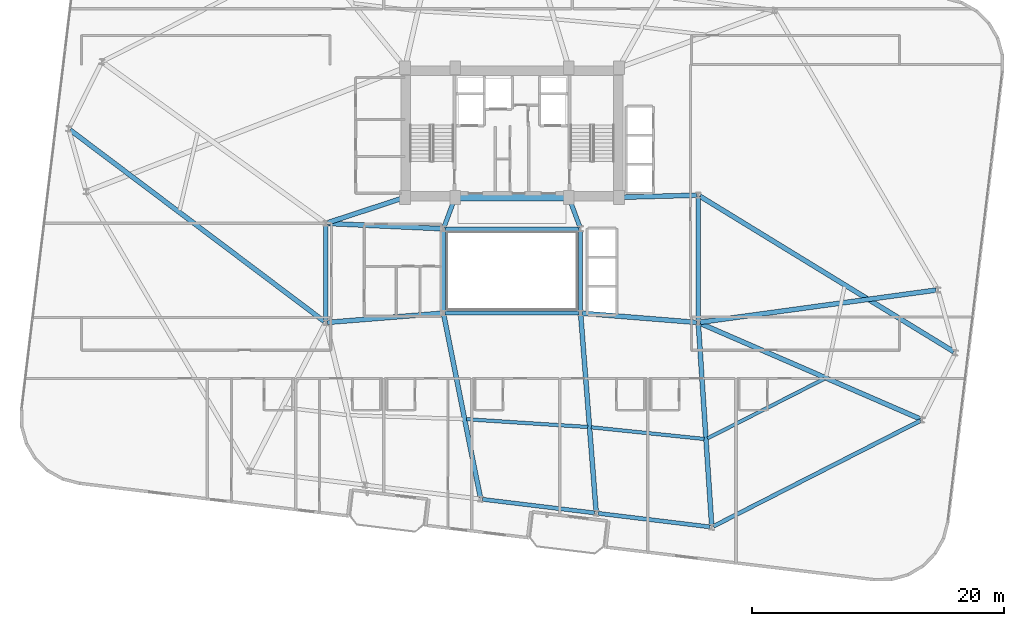
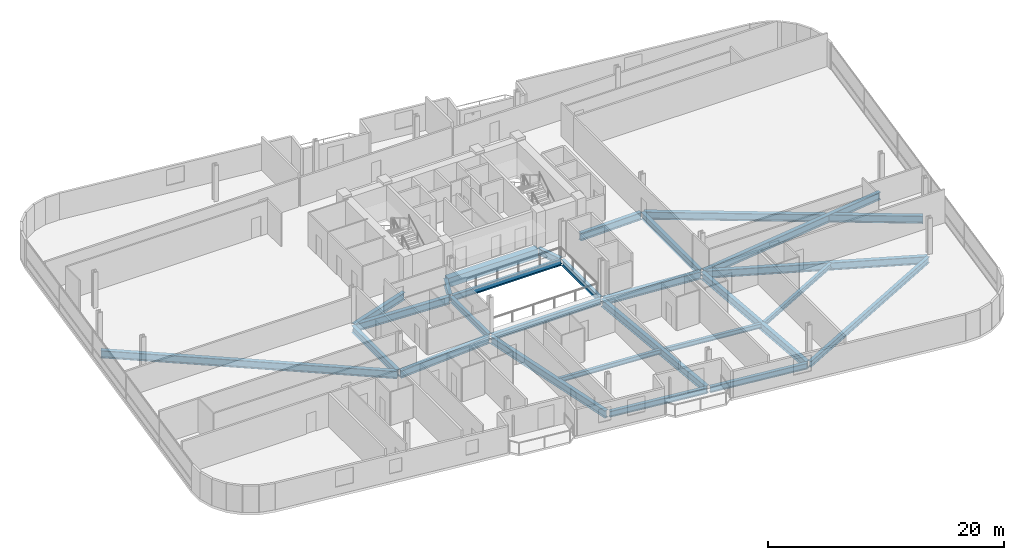
# One storey, part 7 of 26: 27 beams.
"""IFC4 building model written with IfcOpenShell, lengths in metres."""

from ifc_helpers import new_model, si_unit, direction, frame, origin, origin_2d, place, context, subcontext, project, spatial, rectangle, i_section, extrude, material, material_profile, profile_set, type_object, element, save


model = new_model("IFC4")

# Units and contexts
model_context = context("Model", 3, precision=1e-05, world=origin(), true_north=direction((0.0, 1.0)))
body_context = subcontext(model_context, "Body", "Model", "MODEL_VIEW")
ifc_project = project(units=[si_unit("LENGTHUNIT", "METRE"), si_unit("AREAUNIT", "SQUARE_METRE"), si_unit("VOLUMEUNIT", "CUBIC_METRE"), si_unit("PLANEANGLEUNIT", "RADIAN"), si_unit("MASSUNIT", "GRAM", prefix="KILO")], contexts=[model_context])

# Site, building, storey
site_placement = place(None, origin())
site = spatial("IfcSite", under=ifc_project, at=site_placement, CompositionType="ELEMENT")
building_placement = place(site_placement, origin())
building = spatial("IfcBuilding", under=site, at=building_placement, Name="Varnelok Gate Tower", CompositionType="ELEMENT")
storey_placement = place(building_placement, frame((0.0, 0.0, 155.0)))
storey = spatial("IfcBuildingStorey", under=building, at=storey_placement, Name="L39", CompositionType="ELEMENT", Elevation=155.0)

# Beams
ifc_material_1 = material(Name="Structural Steel ASTM A992 Grade 50", Category="steel")
ifc_material_profile_1 = material_profile(ifc_material_1, i_section(OverallWidth=0.280029296875, OverallDepth=0.462890625, WebThickness=0.0107421875, FlangeThickness=0.017333984375, FilletRadius=0.014892578125, at=origin_2d()), Name="W18X76")
ifc_profile_set_1 = profile_set([ifc_material_profile_1], Name="Structural Steel ASTM A992 Grade 50")
beam_type_1 = type_object("IfcBeamType", Name="BM-JST-W18X76", PredefinedType="JOIST", material=ifc_profile_set_1)
beam_1_placement = place(storey_placement, frame((35.57763671875, 11.11669921875, -0.4814453125), z_axis=(0.997960769005, -0.063830271251, 0.0), x_axis=(0.063830271251, 0.997960769005, 0.0)))
element("IfcBeam", 1, at=beam_1_placement, inside=storey, type_object=beam_type_1, Name="L39 Sector Floor Joist 3", PredefinedType="JOIST", context=body_context, shape_type="SweptSolid", body=[
    extrude(i_section(OverallWidth=0.280029296875, OverallDepth=0.462890625, WebThickness=0.0107421875, FlangeThickness=0.017333984375, FilletRadius=0.014892578125, at=origin_2d()), origin(), (0.0, 0.0, 1.0), 9.66162109375),
])
beam_2_placement = place(storey_placement, frame((45.498291015625, 10.4765625, -0.4814453125), z_axis=(0.994695898883, -0.102859461135, 0.0), x_axis=(0.102859461135, 0.994695898883, 0.0)))
element("IfcBeam", 2, at=beam_2_placement, inside=storey, type_object=beam_type_1, Name="L39 Sector Floor Joist 4", PredefinedType="JOIST", context=body_context, shape_type="SweptSolid", body=[
    extrude(i_section(OverallWidth=0.280029296875, OverallDepth=0.462890625, WebThickness=0.0107421875, FlangeThickness=0.017333984375, FilletRadius=0.014892578125, at=origin_2d()), origin(), (0.0, 0.0, 1.0), 9.024169921875),
])
beam_3_placement = place(storey_placement, frame((54.738525390625, 9.59765625, -0.4814453125), z_axis=(0.890722173208, 0.454548138435, 0.0), x_axis=(-0.454548138435, 0.890722173208, 0.0)))
element("IfcBeam", 3, at=beam_3_placement, inside=storey, type_object=beam_type_1, Name="L39 Sector Floor Joist 5", PredefinedType="JOIST", context=body_context, shape_type="SweptSolid", body=[
    extrude(i_section(OverallWidth=0.280029296875, OverallDepth=0.462890625, WebThickness=0.0107421875, FlangeThickness=0.017333984375, FilletRadius=0.014892578125, at=origin_2d()), origin(), (0.0, 0.0, 1.0), 10.417236328125),
])
ifc_material_2 = material(Name="Concrete C60/75", Category="concrete")
ifc_material_profile_2 = material_profile(ifc_material_2, rectangle(XDim=0.60009765625, YDim=0.949951171875, at=origin_2d()), Name="RC950X600")
ifc_profile_set_2 = profile_set([ifc_material_profile_2], Name="Concrete C60/75")
beam_type_2 = type_object("IfcBeamType", Name="BM-LNT-RC950", PredefinedType="LINTEL", material=ifc_profile_set_2)
beam_4_placement = place(storey_placement, frame((34.800048828125, 28.75, -0.72509765625), z_axis=(1.0, 0.0, 0.0), x_axis=(0.0, 1.0, 0.0)))
element("IfcBeam", 4, at=beam_4_placement, inside=storey, type_object=beam_type_2, Name="L39 Core-Atrium Spine Beam 7", PredefinedType="LINTEL", context=body_context, shape_type="SweptSolid", body=[
    extrude(rectangle(XDim=0.60009765625, YDim=0.949951171875, at=origin_2d()), origin(), (0.0, 0.0, 1.0), 8.800048828125),
])
ifc_material_profile_3 = material_profile(ifc_material_1, i_section(OverallWidth=0.35498046875, OverallDepth=0.696044921875, WebThickness=0.015380859375, FlangeThickness=0.02490234375, FilletRadius=0.02001953125, at=origin_2d()), Name="W27X146")
ifc_profile_set_3 = profile_set([ifc_material_profile_3], Name="Structural Steel ASTM A992 Grade 50")
beam_type_3 = type_object("IfcBeamType", Name="BM-PRI-W27X146", PredefinedType="BEAM", material=ifc_profile_set_3)
for number, where, z_axis, x_axis, name in (
    (5, (33.791748046875, 26.362548828125, -0.597900390625), (0.348719329408, 0.937227202602, 0.0), (-0.937227202602, 0.348719329408, 0.0), "L39 Core-Atrium Spine Beam 12"),
    (6, (44.608154296875, 26.362548828125, -0.597900390625), (-0.348719329408, 0.937227202602, 0.0), (-0.937227202602, -0.348719329408, 0.0), "L39 Core-Atrium Spine Beam 13"),
):
    element("IfcBeam", number, at=place(storey_placement, frame(where, z_axis=z_axis, x_axis=x_axis)), inside=storey, type_object=beam_type_3, Name=name, PredefinedType="BEAM", context=body_context, shape_type="SweptSolid", body=[
        extrude(i_section(OverallWidth=0.35498046875, OverallDepth=0.696044921875, WebThickness=0.015380859375, FlangeThickness=0.02490234375, FilletRadius=0.02001953125, at=origin_2d()), origin(), (0.0, 0.0, 1.0), 2.42724609375),
    ])
beam_5_placement = place(storey_placement, frame((24.39990234375, 18.919921875, -0.597900390625), z_axis=(0.0, 1.0, 0.0), x_axis=(-1.0, 0.0, 0.0)))
element("IfcBeam", 7, at=beam_5_placement, inside=storey, type_object=beam_type_3, Name="L39 Core-Atrium Spine Beam 16", PredefinedType="BEAM", context=body_context, shape_type="SweptSolid", body=[
    extrude(i_section(OverallWidth=0.35498046875, OverallDepth=0.696044921875, WebThickness=0.015380859375, FlangeThickness=0.02490234375, FilletRadius=0.02001953125, at=origin_2d()), origin(), (0.0, 0.0, 1.0), 7.64013671875),
])
beam_6_placement = place(storey_placement, frame((54.0, 18.919921875, -0.597900390625), z_axis=(0.0, 1.0, 0.0), x_axis=(-1.0, 0.0, 0.0)))
element("IfcBeam", 8, at=beam_6_placement, inside=storey, type_object=beam_type_3, Name="L39 Core-Atrium Spine Beam 20", PredefinedType="BEAM", context=body_context, shape_type="SweptSolid", body=[
    extrude(i_section(OverallWidth=0.35498046875, OverallDepth=0.696044921875, WebThickness=0.015380859375, FlangeThickness=0.02490234375, FilletRadius=0.02001953125, at=origin_2d()), origin(), (0.0, 0.0, 1.0), 9.880126953125),
])
ifc_material_profile_4 = material_profile(ifc_material_1, i_section(OverallWidth=0.381103515625, OverallDepth=0.77294921875, WebThickness=0.0166015625, FlangeThickness=0.027099609375, FilletRadius=0.02197265625, at=origin_2d()), Name="W30X173")
ifc_profile_set_4 = profile_set([ifc_material_profile_4], Name="Structural Steel ASTM A992 Grade 50")
beam_type_4 = type_object("IfcBeamType", Name="BM-PRI-W30X173", PredefinedType="BEAM", material=ifc_profile_set_4)
beam_7_placement = place(storey_placement, frame((24.51953125, 18.8095703125, -0.636474609375), z_axis=(0.996799206292, 0.07994587128, 0.0), x_axis=(-0.07994587128, 0.996799206292, 0.0)))
element("IfcBeam", 9, at=beam_7_placement, inside=storey, type_object=beam_type_4, Name="L39 Core-Atrium Spine Beam 14", PredefinedType="BEAM", context=body_context, shape_type="SweptSolid", body=[
    extrude(i_section(OverallWidth=0.381103515625, OverallDepth=0.77294921875, WebThickness=0.0166015625, FlangeThickness=0.027099609375, FilletRadius=0.02197265625, at=origin_2d()), origin(), (0.0, 0.0, 1.0), 9.14013671875),
])
beam_8_placement = place(storey_placement, frame((24.52001953125, 26.674560546875, -0.636474609375), z_axis=(0.99894427814, -0.045938319209, 0.0), x_axis=(0.045938319209, 0.99894427814, 0.0)))
element("IfcBeam", 10, at=beam_8_placement, inside=storey, type_object=beam_type_4, Name="L39 Core-Atrium Spine Beam 15", PredefinedType="BEAM", context=body_context, shape_type="SweptSolid", body=[
    extrude(i_section(OverallWidth=0.381103515625, OverallDepth=0.77294921875, WebThickness=0.0166015625, FlangeThickness=0.027099609375, FilletRadius=0.02197265625, at=origin_2d()), origin(), (0.0, 0.0, 1.0), 9.11962890625),
])
beam_9_placement = place(storey_placement, frame((24.513916015625, 26.717529296875, -0.636474609375), z_axis=(0.950041943788, 0.312122259768, 0.0), x_axis=(-0.312122259768, 0.950041943788, 0.0)))
element("IfcBeam", 11, at=beam_9_placement, inside=storey, type_object=beam_type_4, Name="L39 Core-Atrium Spine Beam 17", PredefinedType="BEAM", context=body_context, shape_type="SweptSolid", body=[
    extrude(i_section(OverallWidth=0.381103515625, OverallDepth=0.77294921875, WebThickness=0.0166015625, FlangeThickness=0.027099609375, FilletRadius=0.02197265625, at=origin_2d()), origin(), (0.0, 0.0, 1.0), 6.391357421875),
])
beam_10_placement = place(storey_placement, frame((44.76953125, 19.540283203125, -0.636474609375), z_axis=(0.996799206292, -0.07994587128, 0.0), x_axis=(0.07994587128, 0.996799206292, 0.0)))
element("IfcBeam", 12, at=beam_10_placement, inside=storey, type_object=beam_type_4, Name="L39 Core-Atrium Spine Beam 18", PredefinedType="BEAM", context=body_context, shape_type="SweptSolid", body=[
    extrude(i_section(OverallWidth=0.381103515625, OverallDepth=0.77294921875, WebThickness=0.0166015625, FlangeThickness=0.027099609375, FilletRadius=0.02197265625, at=origin_2d()), origin(), (0.0, 0.0, 1.0), 9.14013671875),
])
beam_11_placement = place(storey_placement, frame((47.820068359375, 28.753173828125, -0.636474609375), z_axis=(0.999635880609, 0.026983443053, 0.0), x_axis=(-0.026983443053, 0.999635880609, 0.0)))
element("IfcBeam", 13, at=beam_11_placement, inside=storey, type_object=beam_type_4, Name="L39 Core-Atrium Spine Beam 19", PredefinedType="BEAM", context=body_context, shape_type="SweptSolid", body=[
    extrude(i_section(OverallWidth=0.381103515625, OverallDepth=0.77294921875, WebThickness=0.0166015625, FlangeThickness=0.027099609375, FilletRadius=0.02197265625, at=origin_2d()), origin(), (0.0, 0.0, 1.0), 6.06201171875),
])
beam_12_placement = place(storey_placement, frame((33.779541015625, 19.40283203125, -0.636474609375), z_axis=(0.1964593524, -0.980511969766, 0.0), x_axis=(0.980511969766, 0.1964593524, 0.0)))
element("IfcBeam", 14, at=beam_12_placement, inside=storey, type_object=beam_type_4, Name="L39 Radial Floor Girder 3", PredefinedType="BEAM", context=body_context, shape_type="SweptSolid", body=[
    extrude(i_section(OverallWidth=0.381103515625, OverallDepth=0.77294921875, WebThickness=0.0166015625, FlangeThickness=0.027099609375, FilletRadius=0.02197265625, at=origin_2d()), origin(), (0.0, 0.0, 1.0), 14.773193359375),
])
beam_13_placement = place(storey_placement, frame((44.66162109375, 19.400390625, -0.636474609375), z_axis=(0.078042805068, -0.996950009066, 0.0), x_axis=(0.996950009066, 0.078042805068, 0.0)))
element("IfcBeam", 15, at=beam_13_placement, inside=storey, type_object=beam_type_4, Name="L39 Radial Floor Girder 4", PredefinedType="BEAM", context=body_context, shape_type="SweptSolid", body=[
    extrude(i_section(OverallWidth=0.381103515625, OverallDepth=0.77294921875, WebThickness=0.0166015625, FlangeThickness=0.027099609375, FilletRadius=0.02197265625, at=origin_2d()), origin(), (0.0, 0.0, 1.0), 15.641357421875),
])
beam_14_placement = place(storey_placement, frame((54.010009765625, 18.650390625, -0.636474609375), z_axis=(0.066089376194, -0.997813707239, 0.0), x_axis=(0.997813707239, 0.066089376194, 0.0)))
element("IfcBeam", 16, at=beam_14_placement, inside=storey, type_object=beam_type_4, Name="L39 Radial Floor Girder 5", PredefinedType="BEAM", context=body_context, shape_type="SweptSolid", body=[
    extrude(i_section(OverallWidth=0.381103515625, OverallDepth=0.77294921875, WebThickness=0.0166015625, FlangeThickness=0.027099609375, FilletRadius=0.02197265625, at=origin_2d()), origin(), (0.0, 0.0, 1.0), 15.99169921875),
])
beam_15_placement = place(storey_placement, frame((54.1376953125, 18.740234375, -0.636474609375), z_axis=(0.917259371715, -0.398290402848, 0.0), x_axis=(0.398290402848, 0.917259371715, 0.0)))
element("IfcBeam", 17, at=beam_15_placement, inside=storey, type_object=beam_type_4, Name="L39 Radial Floor Girder 6", PredefinedType="BEAM", context=body_context, shape_type="SweptSolid", body=[
    extrude(i_section(OverallWidth=0.381103515625, OverallDepth=0.77294921875, WebThickness=0.0166015625, FlangeThickness=0.027099609375, FilletRadius=0.02197265625, at=origin_2d()), origin(), (0.0, 0.0, 1.0), 19.09765625),
])
beam_16_placement = place(storey_placement, frame((54.1279296875, 28.841796875, -0.636474609375), z_axis=(0.852781066678, -0.522268563399, 0.0), x_axis=(0.522268563399, 0.852781066678, 0.0)))
element("IfcBeam", 18, at=beam_16_placement, inside=storey, type_object=beam_type_4, Name="L39 Radial Floor Girder 7", PredefinedType="BEAM", context=body_context, shape_type="SweptSolid", body=[
    extrude(i_section(OverallWidth=0.381103515625, OverallDepth=0.77294921875, WebThickness=0.0166015625, FlangeThickness=0.027099609375, FilletRadius=0.02197265625, at=origin_2d()), origin(), (0.0, 0.0, 1.0), 23.663330078125),
])
beam_17_placement = place(storey_placement, frame((54.148681640625, 18.8203125, -0.636474609375), z_axis=(0.990818465143, 0.135198998265, 0.0), x_axis=(-0.135198998265, 0.990818465143, 0.0)))
element("IfcBeam", 19, at=beam_17_placement, inside=storey, type_object=beam_type_4, Name="L39 Radial Floor Girder 8", PredefinedType="BEAM", context=body_context, shape_type="SweptSolid", body=[
    extrude(i_section(OverallWidth=0.381103515625, OverallDepth=0.77294921875, WebThickness=0.0166015625, FlangeThickness=0.027099609375, FilletRadius=0.02197265625, at=origin_2d()), origin(), (0.0, 0.0, 1.0), 18.921142578125),
])
beam_18_placement = place(storey_placement, frame((24.2802734375, 18.890380859375, -0.636474609375), z_axis=(-0.798720202065, 0.601702616591, 0.0), x_axis=(-0.601702616591, -0.798720202065, 0.0)))
element("IfcBeam", 20, at=beam_18_placement, inside=storey, type_object=beam_type_4, Name="L39 Radial Floor Girder 15", PredefinedType="BEAM", context=body_context, shape_type="SweptSolid", body=[
    extrude(i_section(OverallWidth=0.381103515625, OverallDepth=0.77294921875, WebThickness=0.0166015625, FlangeThickness=0.027099609375, FilletRadius=0.02197265625, at=origin_2d()), origin(), (0.0, 0.0, 1.0), 25.285400390625),
])
ifc_material_profile_5 = material_profile(ifc_material_1, i_section(OverallWidth=0.323974609375, OverallDepth=0.611083984375, WebThickness=0.0126953125, FlangeThickness=0.01904296875, FilletRadius=0.01806640625, at=origin_2d()), Name="W24X104")
ifc_profile_set_5 = profile_set([ifc_material_profile_5], Name="Structural Steel ASTM A992 Grade 50")
beam_type_5 = type_object("IfcBeamType", Name="BM-SPN-W24X104", PredefinedType="SPANDREL", material=ifc_profile_set_5)
for number, where, z_axis, x_axis, name in (
    (21, (33.8701171875, 19.550048828125, -0.555419921875), (1.0, 0.0, 0.0), (0.0, 1.0, 0.0), "L39 Core-Atrium Spine Beam 8"),
    (22, (33.8701171875, 26.25, -0.555419921875), (1.0, 0.0, 0.0), (0.0, 1.0, 0.0), "L39 Core-Atrium Spine Beam 9"),
):
    element("IfcBeam", number, at=place(storey_placement, frame(where, z_axis=z_axis, x_axis=x_axis)), inside=storey, type_object=beam_type_5, Name=name, PredefinedType="SPANDREL", context=body_context, shape_type="SweptSolid", body=[
        extrude(i_section(OverallWidth=0.323974609375, OverallDepth=0.611083984375, WebThickness=0.0126953125, FlangeThickness=0.01904296875, FilletRadius=0.01806640625, at=origin_2d()), origin(), (0.0, 0.0, 1.0), 10.659912109375),
    ])
for number, where, z_axis, x_axis, name in (
    (23, (33.75, 19.669921875, -0.555419921875), (0.0, 1.0, 0.0), (-1.0, 0.0, 0.0), "L39 Core-Atrium Spine Beam 10"),
    (24, (44.64990234375, 19.669921875, -0.555419921875), (0.0, 1.0, 0.0), (-1.0, 0.0, 0.0), "L39 Core-Atrium Spine Beam 11"),
):
    element("IfcBeam", number, at=place(storey_placement, frame(where, z_axis=z_axis, x_axis=x_axis)), inside=storey, type_object=beam_type_5, Name=name, PredefinedType="SPANDREL", context=body_context, shape_type="SweptSolid", body=[
        extrude(i_section(OverallWidth=0.323974609375, OverallDepth=0.611083984375, WebThickness=0.0126953125, FlangeThickness=0.01904296875, FilletRadius=0.01806640625, at=origin_2d()), origin(), (0.0, 0.0, 1.0), 6.4599609375),
    ])
for number, where, z_axis, x_axis, name in (
    (25, (36.860107421875, 4.752197265625, -0.555419921875), (0.992734670707, -0.120324035735, 0.0), (0.120324035735, 0.992734670707, 0.0), "L39 Perimeter Spandrel Beam 3"),
    (26, (46.04296875, 3.638916015625, -0.555419921875), (0.992734670707, -0.120324035735, 0.0), (0.120324035735, 0.992734670707, 0.0), "L39 Perimeter Spandrel Beam 4"),
):
    element("IfcBeam", number, at=place(storey_placement, frame(where, z_axis=z_axis, x_axis=x_axis)), inside=storey, type_object=beam_type_5, Name=name, PredefinedType="SPANDREL", context=body_context, shape_type="SweptSolid", body=[
        extrude(i_section(OverallWidth=0.323974609375, OverallDepth=0.611083984375, WebThickness=0.0126953125, FlangeThickness=0.01904296875, FilletRadius=0.01806640625, at=origin_2d()), origin(), (0.0, 0.0, 1.0), 8.949951171875),
    ])
beam_19_placement = place(storey_placement, frame((55.21044921875, 2.612060546875, -0.555419921875), z_axis=(0.890721671543, 0.454549121486, 0.0), x_axis=(-0.454549121486, 0.890721671543, 0.0)))
element("IfcBeam", 27, at=beam_19_placement, inside=storey, type_object=beam_type_5, Name="L39 Perimeter Spandrel Beam 5", PredefinedType="SPANDREL", context=body_context, shape_type="SweptSolid", body=[
    extrude(i_section(OverallWidth=0.323974609375, OverallDepth=0.611083984375, WebThickness=0.0126953125, FlangeThickness=0.01904296875, FilletRadius=0.01806640625, at=origin_2d()), origin(), (0.0, 0.0, 1.0), 18.466796875),
])

save(model, "model.ifc")
